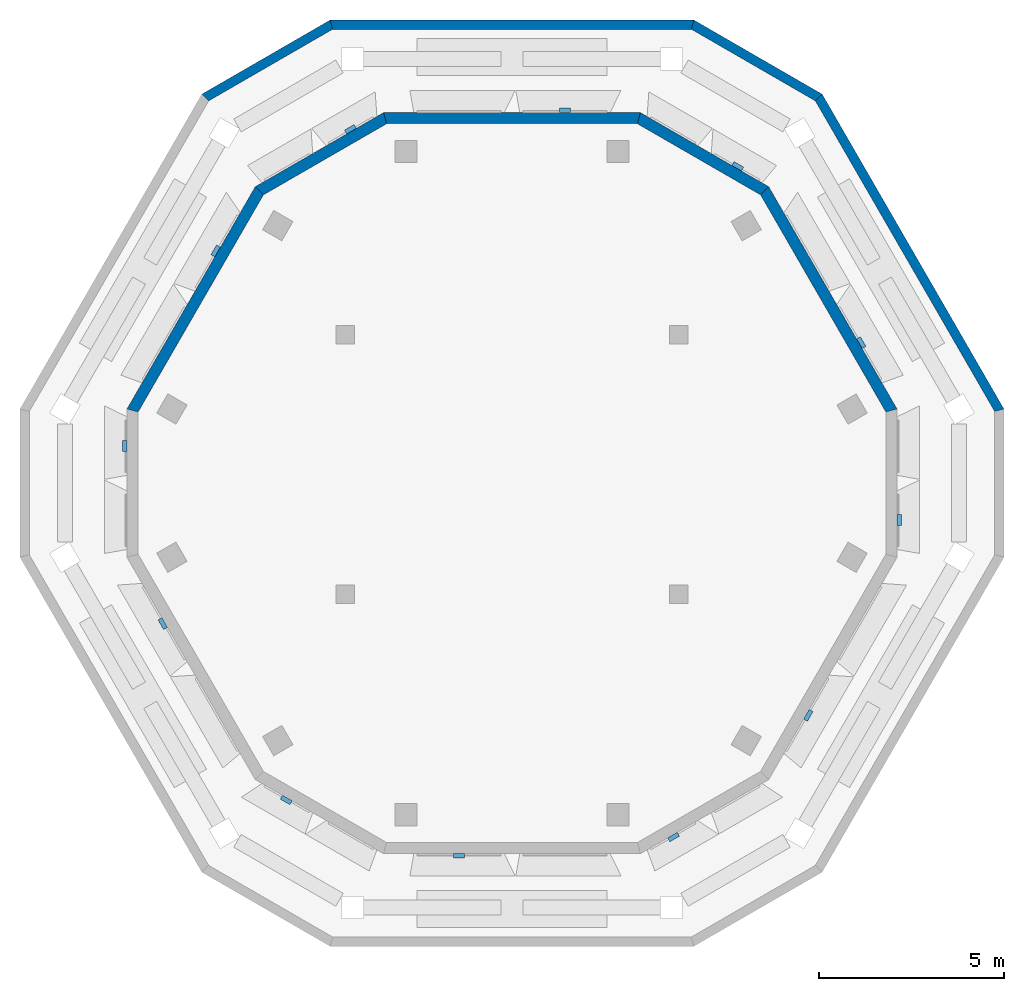
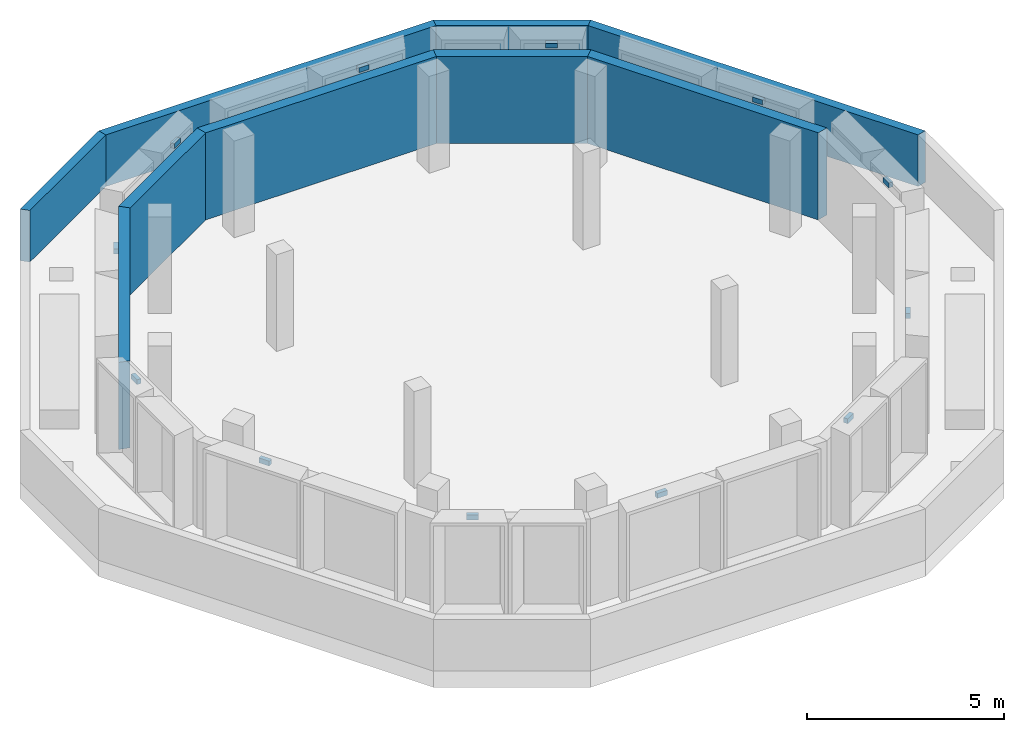
# One storey, part 2 of 4: 12 discrete accessories, 9 walls.
"""IFC4 building model written with IfcOpenShell, lengths in metres."""

from ifc_helpers import new_model, si_unit, direction, frame, origin, place, context, subcontext, project, spatial, polyline, outline, extrude, source, transform, mapped, material, layer, layer_set, type_object, type_shapes, element, save


model = new_model("IFC4")

# Units and contexts
model_context = context("Model", 3, precision=1e-05, world=origin(), true_north=direction((0.0, 1.0)))
body_context = subcontext(model_context, "Body", "Model", "MODEL_VIEW")
ifc_project = project(units=[si_unit("LENGTHUNIT", "METRE"), si_unit("AREAUNIT", "SQUARE_METRE"), si_unit("VOLUMEUNIT", "CUBIC_METRE"), si_unit("PLANEANGLEUNIT", "RADIAN"), si_unit("MASSUNIT", "GRAM", prefix="KILO")], contexts=[model_context])

# Site, building, storey
site_placement = place(None, origin())
site = spatial("IfcSite", under=ifc_project, at=site_placement, CompositionType="ELEMENT")
building_placement = place(site_placement, origin())
building = spatial("IfcBuilding", under=site, at=building_placement, Name="Beryl Residences", CompositionType="ELEMENT")
storey_placement = place(building_placement, frame((0.0, 0.0, 256.800048828125)))
storey = spatial("IfcBuildingStorey", under=building, at=storey_placement, Name="L80", CompositionType="ELEMENT", Elevation=256.800048828125)

# Walls
ifc_material_1 = material(Name="Composite metal panel with mineral wool insulation")
ifc_layer_1 = layer(ifc_material_1, 0.300048828125)
ifc_layer_set_1 = layer_set([ifc_layer_1], Name="ES1 pale metal composite panel wall 300 mm")
wall_type_1 = type_object("IfcWallType", Name="ES1 pale metal composite panel wall 300 mm", PredefinedType="SOLIDWALL", material=ifc_layer_set_1)
wall_1_placement = place(storey_placement, frame((3.465087890625, 9.85009765625, 0.0), z_axis=(0.0, 0.0, 1.0), x_axis=(-1.0, 0.0, 0.0)))
element("IfcWall", 1, at=wall_1_placement, inside=storey, type_object=wall_type_1, Name="ES1 external wall L80 N", PredefinedType="SOLIDWALL", context=body_context, shape_type="SweptSolid", body=[
    extrude(outline(polyline([(0.0, -0.14990234375), (6.93017578125, -0.14990234375), (6.849853515625, 0.14990234375), (0.080322265625, 0.14990234375), (0.0, -0.14990234375)])), origin(), (0.0, 0.0, 1.0), 2.699951171875),
])
wall_2_placement = place(storey_placement, frame((-3.389892578125, 9.8701171875, 0.0), z_axis=(0.0, 0.0, 1.0), x_axis=(-0.866026010844, -0.49999894854, 0.0)))
element("IfcWall", 2, at=wall_2_placement, inside=storey, type_object=wall_type_1, Name="ES1 external wall L80 N-NW", PredefinedType="SOLIDWALL", context=body_context, shape_type="SweptSolid", body=[
    extrude(outline(polyline([(0.0, -0.14990234375), (4.0, -0.14990234375), (3.919677734375, 0.14990234375), (0.080322265625, 0.14990234375), (0.0, -0.14990234375)])), origin(), (0.0, 0.0, 1.0), 2.699951171875),
])
for number, where, z_axis, x_axis, name in (
    (3, (-6.799072265625, 7.925048828125, 0.0), (0.0, 0.0, 1.0), (-0.499868889286, -0.866101087359, 0.0), "ES1 external wall L80 NW"),
    (4, (10.261962890625, 1.925048828125, 0.0), (0.0, 0.0, 1.0), (-0.499868889286, 0.866101087359, 0.0), "ES1 external wall L80 NE"),
):
    element("IfcWall", number, at=place(storey_placement, frame(where, z_axis=z_axis, x_axis=x_axis)), inside=storey, type_object=wall_type_1, Name=name, PredefinedType="SOLIDWALL", context=body_context, shape_type="SweptSolid", body=[
        extrude(outline(polyline([(0.0, -0.14990234375), (6.927490234375, -0.14990234375), (6.84716796875, 0.14990234375), (0.080322265625, 0.14990234375), (0.0, -0.14990234375)])), origin(), (0.0, 0.0, 1.0), 2.699951171875),
    ])
wall_3_placement = place(storey_placement, frame((6.85400390625, 7.8701171875, 0.0), z_axis=(0.0, 0.0, 1.0), x_axis=(-0.866026010844, 0.49999894854, 0.0)))
element("IfcWall", 5, at=wall_3_placement, inside=storey, type_object=wall_type_1, Name="ES1 external wall L80 NE-N", PredefinedType="SOLIDWALL", context=body_context, shape_type="SweptSolid", body=[
    extrude(outline(polyline([(0.0, -0.14990234375), (4.0, -0.14990234375), (3.919677734375, 0.14990234375), (0.080322265625, 0.14990234375), (0.0, -0.14990234375)])), origin(), (0.0, 0.0, 1.0), 2.699951171875),
])
ifc_material_2 = material(Name="Precast concrete C40/50", Category="concrete")
ifc_layer_2 = layer(ifc_material_2, 0.25)
ifc_layer_set_2 = layer_set([ifc_layer_2], Name="PA1 roof parapet 250 mm")
wall_type_2 = type_object("IfcWallType", Name="PA1 roof parapet 250 mm", PredefinedType="PARAPET", material=ifc_layer_set_2)
wall_4_placement = place(storey_placement, frame((4.845947265625, 12.39208984375, 0.0), z_axis=(0.0, 0.0, 1.0), x_axis=(0.865859197389, -0.500287767487, 0.0)))
element("IfcWall", 6, at=wall_4_placement, inside=storey, type_object=wall_type_2, Name="PA1 parapet L80 strip 1", PredefinedType="PARAPET", context=body_context, shape_type="SweptSolid", body=[
    extrude(outline(polyline([(0.067138671875, -0.125), (3.932861328125, -0.125), (3.999755859375, 0.125), (0.0, 0.125), (0.067138671875, -0.125)])), origin(), (0.0, 0.0, 1.0), 1.599853515625),
])
wall_5_placement = place(storey_placement, frame((8.262939453125, 10.43701171875, 0.0), z_axis=(0.0, 0.0, 1.0), x_axis=(0.500079894777, -0.8659792716, 0.0)))
element("IfcWall", 7, at=wall_5_placement, inside=storey, type_object=wall_type_2, Name="PA1 parapet L80 strip 2", PredefinedType="PARAPET", context=body_context, shape_type="SweptSolid", body=[
    extrude(outline(polyline([(0.06689453125, -0.125), (9.74755859375, -0.125), (9.814453125, 0.125), (0.0, 0.125), (0.06689453125, -0.125)])), origin(), (0.0, 0.0, 1.0), 1.599853515625),
])
wall_6_placement = place(storey_placement, frame((-8.30908203125, 10.39111328125, 0.0), z_axis=(0.0, 0.0, 1.0), x_axis=(0.865859197389, 0.500287767487, 0.0)))
element("IfcWall", 8, at=wall_6_placement, inside=storey, type_object=wall_type_2, Name="PA1 parapet L80 strip 11", PredefinedType="PARAPET", context=body_context, shape_type="SweptSolid", body=[
    extrude(outline(polyline([(0.06689453125, -0.125), (3.9326171875, -0.125), (3.999755859375, 0.125), (0.0, 0.125), (0.06689453125, -0.125)])), origin(), (0.0, 0.0, 1.0), 1.599853515625),
])
wall_7_placement = place(storey_placement, frame((-4.908935546875, 12.375, 0.0), z_axis=(0.0, 0.0, 1.0), x_axis=(1.0, 0.0, 0.0)))
element("IfcWall", 9, at=wall_7_placement, inside=storey, type_object=wall_type_2, Name="PA1 parapet L80 strip 12", PredefinedType="PARAPET", context=body_context, shape_type="SweptSolid", body=[
    extrude(outline(polyline([(0.067138671875, -0.125), (9.750732421875, -0.125), (9.81787109375, 0.125), (0.0, 0.125), (0.067138671875, -0.125)])), origin(), (0.0, 0.0, 1.0), 1.599853515625),
])

# Discrete accessories
ifc_material_3 = material(Name="Steel S355", Category="steel")
discrete_accessory_type = type_object("IfcDiscreteAccessoryType", Name="BR1 frame bracket 300 x 120 x 150 mm", PredefinedType="BRACKET", material=ifc_material_3)
shared_shape = source(origin(), body_context, "Body", "SweptSolid", [
    extrude(outline(polyline([(-0.14990234375, 0.0), (0.14990234375, 0.0), (0.14990234375, 0.1201171875), (-0.14990234375, 0.1201171875), (-0.14990234375, 0.0)])), origin(), (0.0, 0.0, 1.0), 0.14990234375),
])
type_shapes(discrete_accessory_type, [shared_shape])
for number, where, z_axis, x_axis, name in (
    (10, (1.428955078125, 10.0, 2.75), (0.0, 0.0, 1.0), (1.0, 0.0, 0.0), "BR1 bracket L80 N 1"),
    (11, (-4.3310546875, 9.5, 2.75), (0.0, 0.0, 1.0), (0.866025403784, 0.5, 0.0), "BR1 bracket L80 N-NW 1"),
    (12, (-7.945068359375, 6.238037109375, 2.75), (0.0, 0.0, 1.0), (0.5, 0.866025403784, 0.0), "BR1 bracket L80 NW 1"),
    (13, (-10.39208984375, 1.0, 2.75), (0.0, 0.0, 1.0), (0.0, 1.0, 0.0), "BR1 bracket L80 NW-SW 1"),
    (14, (-9.375, -3.761962890625, 2.75), (0.0, 0.0, 1.0), (-0.5, 0.866025403784, 0.0), "BR1 bracket L80 SW 1"),
    (15, (-6.06298828125, -8.5, 2.75), (0.0, 0.0, 1.0), (-0.866025403784, 0.5, 0.0), "BR1 bracket L80 SW-S 1"),
    (16, (-1.428955078125, -10.0, 2.75), (0.0, 0.0, 1.0), (-1.0, 0.0, 0.0), "BR1 bracket L80 S 1"),
    (17, (4.3310546875, -9.5, 2.75), (0.0, 0.0, 1.0), (-0.866025403784, -0.5, 0.0), "BR1 bracket L80 S-SE 1"),
    (18, (7.945068359375, -6.238037109375, 2.75), (0.0, 0.0, 1.0), (-0.5, -0.866025403784, 0.0), "BR1 bracket L80 SE 1"),
    (19, (10.39208984375, -1.0, 2.75), (0.0, 0.0, 1.0), (0.0, -1.0, 0.0), "BR1 bracket L80 SE-NE 1"),
    (20, (9.375, 3.761962890625, 2.75), (0.0, 0.0, 1.0), (0.5, -0.866025403784, 0.0), "BR1 bracket L80 NE 1"),
    (21, (6.06298828125, 8.5, 2.75), (0.0, 0.0, 1.0), (0.866025403784, -0.5, 0.0), "BR1 bracket L80 NE-N 1"),
):
    element("IfcDiscreteAccessory", number, at=place(storey_placement, frame(where, z_axis=z_axis, x_axis=x_axis)), inside=storey, type_object=discrete_accessory_type, Name=name, PredefinedType="BRACKET", context=body_context, shape_type="MappedRepresentation", body=[
        mapped(shared_shape, transform((0.0, 0.0, 0.0))),
    ])

save(model, "model.ifc")
